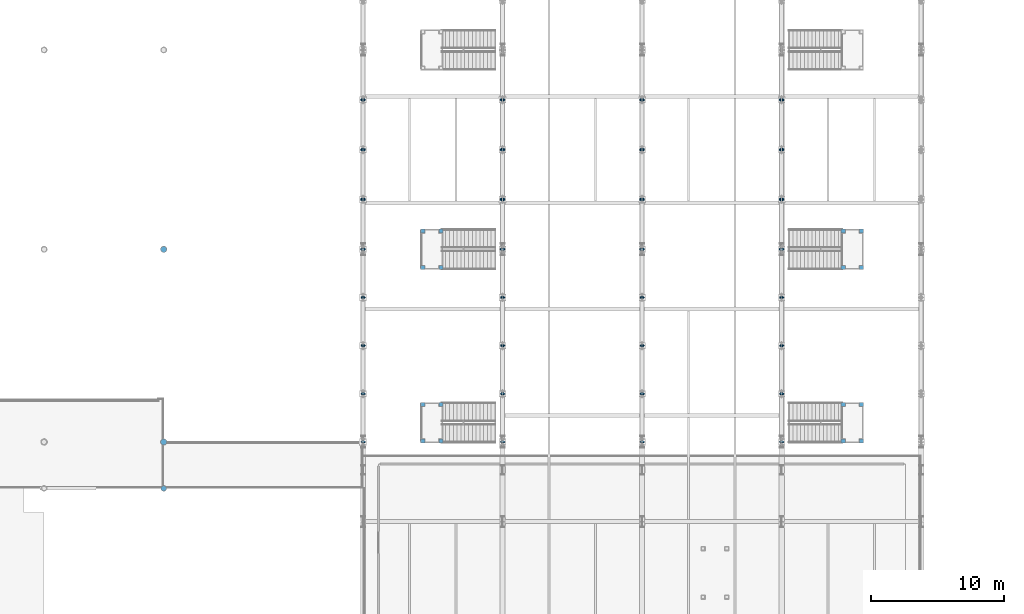
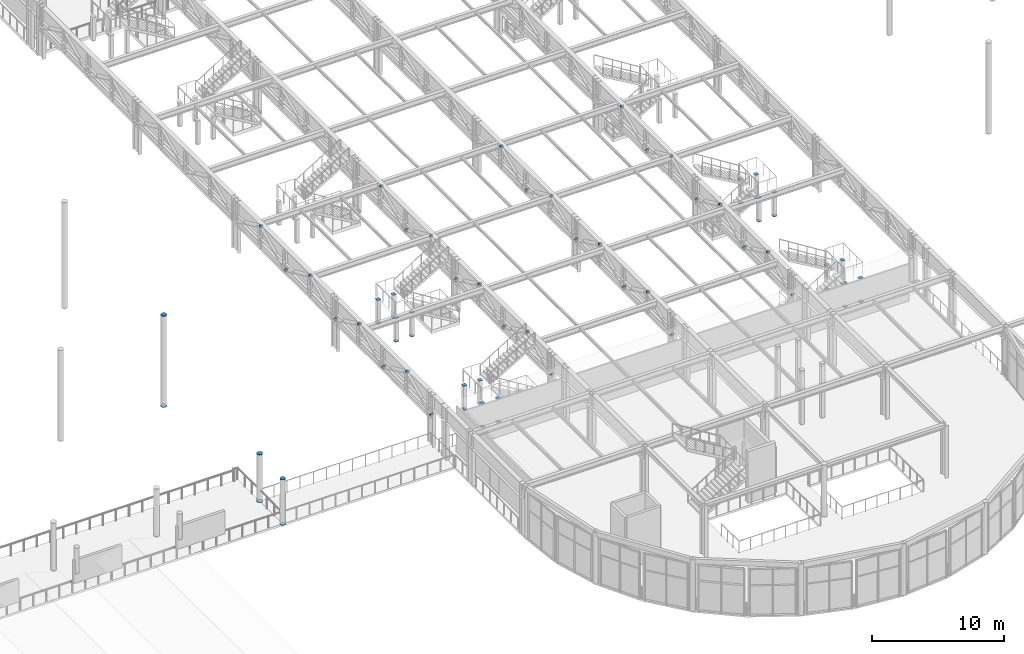
# One storey, part 95 of 143: 98 discrete accessories.
"""IFC4 building model written with IfcOpenShell, lengths in metres."""

from ifc_helpers import new_model, si_unit, direction, frame, origin, origin_2d, place, context, subcontext, project, spatial, rectangle, circle, extrude, material, element, save


model = new_model("IFC4")

# Units and contexts
model_context = context("Model", 3, precision=1e-05, world=origin(), true_north=direction((0.0, 1.0)))
body_context = subcontext(model_context, "Body", "Model", "MODEL_VIEW")
ifc_project = project(units=[si_unit("LENGTHUNIT", "METRE"), si_unit("AREAUNIT", "SQUARE_METRE"), si_unit("VOLUMEUNIT", "CUBIC_METRE"), si_unit("PLANEANGLEUNIT", "RADIAN"), si_unit("MASSUNIT", "GRAM", prefix="KILO")], contexts=[model_context])

# Site, building, storey
site_placement = place(None, origin())
site = spatial("IfcSite", under=ifc_project, at=site_placement, CompositionType="ELEMENT")
building_placement = place(site_placement, origin())
building = spatial("IfcBuilding", under=site, at=building_placement, Name="Marlcrest Central Station", CompositionType="ELEMENT")
storey_placement = place(building_placement, frame((0.0, 0.0, 4.800048828125)))
storey = spatial("IfcBuildingStorey", under=building, at=storey_placement, Name="L01", CompositionType="ELEMENT", Elevation=4.800048828125)

# Discrete accessories
ifc_material = material(Name="Steel S355", Category="steel")
for number, where, z_axis, x_axis, name in (
    (1, (72.0, 33.0, -0.014892578125), (0.0, 0.0, 1.0), (1.0, 0.0, 0.0), "endcap-col-SC-10-L01-0411-s"),
    (2, (72.0, 33.0, 4.175048828125), (0.0, 0.0, 1.0), (1.0, 0.0, 0.0), "endcap-col-SC-10-L01-0411-e"),
):
    element("IfcDiscreteAccessory", number, at=place(storey_placement, frame(where, z_axis=z_axis, x_axis=x_axis)), inside=storey, material=ifc_material, Name=name, ObjectType="END_CAP_PLATE", PredefinedType="BRACKET", context=body_context, shape_type="SweptSolid", body=[
        extrude(circle(Radius=0.211181640625, at=origin_2d()), origin(), (0.0, 0.0, 1.0), 0.0400390625),
    ])
for number, where, z_axis, x_axis, name in (
    (3, (72.0, 36.5, -0.014892578125), (0.0, 0.0, 1.0), (1.0, 0.0, 0.0), "endcap-col-SC-11-L01-0493-s"),
    (4, (72.0, 36.5, 4.375), (0.0, 0.0, 1.0), (1.0, 0.0, 0.0), "endcap-col-SC-11-L01-0493-e"),
    (5, (72.0, 51.0, -0.014892578125), (0.0, 0.0, 1.0), (1.0, 0.0, 0.0), "endcap-col-SC-11-L01-0495-s"),
    (6, (72.0, 51.0, 8.37890625), (0.0, 0.0, 1.0), (1.0, 0.0, 0.0), "endcap-col-SC-11-L01-0495-e"),
):
    element("IfcDiscreteAccessory", number, at=place(storey_placement, frame(where, z_axis=z_axis, x_axis=x_axis)), inside=storey, material=ifc_material, Name=name, ObjectType="END_CAP_PLATE", PredefinedType="BRACKET", context=body_context, shape_type="SweptSolid", body=[
        extrude(circle(Radius=0.236572265625, at=origin_2d()), origin(), (0.0, 0.0, 1.0), 0.0400390625),
    ])
for number, where, z_axis, x_axis, name in (
    (7, (87.0, 36.486572265625, 2.73828125), (0.0, 0.900551636365, 0.434749065831), (-1.0, 0.0, 0.0), "endcap-mem-TD-01-L01-02121-s"),
    (8, (87.0, 40.1025390625, 4.48388671875), (0.0, 0.900551636365, 0.434749065831), (-1.0, 0.0, 0.0), "endcap-mem-TD-01-L01-02121-e"),
    (9, (87.0, 40.111572265625, 4.50146484375), (0.0, 0.900551636365, -0.434749065831), (-1.0, 0.0, 0.0), "endcap-mem-TD-01-L01-02124-s"),
    (10, (87.0, 43.7275390625, 2.755859375), (0.0, 0.900551636365, -0.434749065831), (-1.0, 0.0, 0.0), "endcap-mem-TD-01-L01-02124-e"),
    (11, (87.0, 43.736572265625, 2.73828125), (0.0, 0.900551636365, 0.434749065831), (-1.0, 0.0, 0.0), "endcap-mem-TD-01-L01-02127-s"),
    (12, (87.0, 47.3525390625, 4.48388671875), (0.0, 0.900551636365, 0.434749065831), (-1.0, 0.0, 0.0), "endcap-mem-TD-01-L01-02127-e"),
    (13, (87.0, 47.361572265625, 4.50146484375), (0.0, 0.900551636365, -0.434749065831), (-1.0, 0.0, 0.0), "endcap-mem-TD-01-L01-02130-s"),
    (14, (87.0, 50.9775390625, 2.755859375), (0.0, 0.900551636365, -0.434749065831), (-1.0, 0.0, 0.0), "endcap-mem-TD-01-L01-02130-e"),
    (15, (87.0, 50.986328125, 2.738525390625), (0.0, 0.906183139995, 0.422885465331), (-1.0, 0.0, 0.0), "endcap-mem-TD-01-L01-02133-s"),
    (16, (87.0, 54.727294921875, 4.484375), (0.0, 0.906183139995, 0.422885465331), (-1.0, 0.0, 0.0), "endcap-mem-TD-01-L01-02133-e"),
    (17, (87.0, 54.736328125, 4.501220703125), (0.0, 0.906183139995, -0.422885465331), (-1.0, 0.0, 0.0), "endcap-mem-TD-01-L01-02136-s"),
    (18, (87.0, 58.477294921875, 2.75537109375), (0.0, 0.906183139995, -0.422885465331), (-1.0, 0.0, 0.0), "endcap-mem-TD-01-L01-02136-e"),
    (19, (87.0, 58.486328125, 2.738525390625), (0.0, 0.906183139995, 0.422885465331), (-1.0, 0.0, 0.0), "endcap-mem-TD-01-L01-02139-s"),
    (20, (87.0, 62.227294921875, 4.484375), (0.0, 0.906183139995, 0.422885465331), (-1.0, 0.0, 0.0), "endcap-mem-TD-01-L01-02139-e"),
    (21, (87.0, 62.236328125, 4.501220703125), (0.0, 0.906183139995, -0.422885465331), (-1.0, 0.0, 0.0), "endcap-mem-TD-01-L01-02142-s"),
    (22, (97.5, 36.486572265625, 2.73828125), (0.0, 0.900551636365, 0.434749065831), (-1.0, 0.0, 0.0), "endcap-mem-TD-01-L01-02170-s"),
    (23, (97.5, 40.1025390625, 4.48388671875), (0.0, 0.900551636365, 0.434749065831), (-1.0, 0.0, 0.0), "endcap-mem-TD-01-L01-02170-e"),
    (24, (97.5, 40.111572265625, 4.50146484375), (0.0, 0.900551636365, -0.434749065831), (-1.0, 0.0, 0.0), "endcap-mem-TD-01-L01-02173-s"),
    (25, (97.5, 43.7275390625, 2.755859375), (0.0, 0.900551636365, -0.434749065831), (-1.0, 0.0, 0.0), "endcap-mem-TD-01-L01-02173-e"),
    (26, (97.5, 43.736572265625, 2.73828125), (0.0, 0.900551636365, 0.434749065831), (-1.0, 0.0, 0.0), "endcap-mem-TD-01-L01-02176-s"),
    (27, (97.5, 47.3525390625, 4.48388671875), (0.0, 0.900551636365, 0.434749065831), (-1.0, 0.0, 0.0), "endcap-mem-TD-01-L01-02176-e"),
    (28, (97.5, 47.361572265625, 4.50146484375), (0.0, 0.900551636365, -0.434749065831), (-1.0, 0.0, 0.0), "endcap-mem-TD-01-L01-02179-s"),
    (29, (97.5, 50.9775390625, 2.755859375), (0.0, 0.900551636365, -0.434749065831), (-1.0, 0.0, 0.0), "endcap-mem-TD-01-L01-02179-e"),
    (30, (97.5, 50.986328125, 2.738525390625), (0.0, 0.906183139995, 0.422885465331), (-1.0, 0.0, 0.0), "endcap-mem-TD-01-L01-02182-s"),
    (31, (97.5, 54.727294921875, 4.484375), (0.0, 0.906183139995, 0.422885465331), (-1.0, 0.0, 0.0), "endcap-mem-TD-01-L01-02182-e"),
    (32, (97.5, 54.736328125, 4.501220703125), (0.0, 0.906183139995, -0.422885465331), (-1.0, 0.0, 0.0), "endcap-mem-TD-01-L01-02185-s"),
    (33, (97.5, 58.477294921875, 2.75537109375), (0.0, 0.906183139995, -0.422885465331), (-1.0, 0.0, 0.0), "endcap-mem-TD-01-L01-02185-e"),
    (34, (97.5, 58.486328125, 2.738525390625), (0.0, 0.906183139995, 0.422885465331), (-1.0, 0.0, 0.0), "endcap-mem-TD-01-L01-02188-s"),
    (35, (97.5, 62.227294921875, 4.484375), (0.0, 0.906183139995, 0.422885465331), (-1.0, 0.0, 0.0), "endcap-mem-TD-01-L01-02188-e"),
    (36, (97.5, 62.236328125, 4.501220703125), (0.0, 0.906183139995, -0.422885465331), (-1.0, 0.0, 0.0), "endcap-mem-TD-01-L01-02191-s"),
    (37, (108.0, 36.486572265625, 2.73828125), (0.0, 0.900551636365, 0.434749065831), (-1.0, 0.0, 0.0), "endcap-mem-TD-01-L01-02219-s"),
    (38, (108.0, 40.1025390625, 4.48388671875), (0.0, 0.900551636365, 0.434749065831), (-1.0, 0.0, 0.0), "endcap-mem-TD-01-L01-02219-e"),
    (39, (108.0, 40.111572265625, 4.50146484375), (0.0, 0.900551636365, -0.434749065831), (-1.0, 0.0, 0.0), "endcap-mem-TD-01-L01-02222-s"),
    (40, (108.0, 43.7275390625, 2.755859375), (0.0, 0.900551636365, -0.434749065831), (-1.0, 0.0, 0.0), "endcap-mem-TD-01-L01-02222-e"),
    (41, (108.0, 43.736572265625, 2.73828125), (0.0, 0.900551636365, 0.434749065831), (-1.0, 0.0, 0.0), "endcap-mem-TD-01-L01-02225-s"),
    (42, (108.0, 47.3525390625, 4.48388671875), (0.0, 0.900551636365, 0.434749065831), (-1.0, 0.0, 0.0), "endcap-mem-TD-01-L01-02225-e"),
    (43, (108.0, 47.361572265625, 4.50146484375), (0.0, 0.900551636365, -0.434749065831), (-1.0, 0.0, 0.0), "endcap-mem-TD-01-L01-02228-s"),
    (44, (108.0, 50.9775390625, 2.755859375), (0.0, 0.900551636365, -0.434749065831), (-1.0, 0.0, 0.0), "endcap-mem-TD-01-L01-02228-e"),
    (45, (108.0, 50.986328125, 2.738525390625), (0.0, 0.906183139995, 0.422885465331), (-1.0, 0.0, 0.0), "endcap-mem-TD-01-L01-02231-s"),
    (46, (108.0, 54.727294921875, 4.484375), (0.0, 0.906183139995, 0.422885465331), (-1.0, 0.0, 0.0), "endcap-mem-TD-01-L01-02231-e"),
    (47, (108.0, 54.736328125, 4.501220703125), (0.0, 0.906183139995, -0.422885465331), (-1.0, 0.0, 0.0), "endcap-mem-TD-01-L01-02234-s"),
    (48, (108.0, 58.477294921875, 2.75537109375), (0.0, 0.906183139995, -0.422885465331), (-1.0, 0.0, 0.0), "endcap-mem-TD-01-L01-02234-e"),
    (49, (108.0, 58.486328125, 2.738525390625), (0.0, 0.906183139995, 0.422885465331), (-1.0, 0.0, 0.0), "endcap-mem-TD-01-L01-02237-s"),
    (50, (108.0, 62.227294921875, 4.484375), (0.0, 0.906183139995, 0.422885465331), (-1.0, 0.0, 0.0), "endcap-mem-TD-01-L01-02237-e"),
    (51, (108.0, 62.236328125, 4.501220703125), (0.0, 0.906183139995, -0.422885465331), (-1.0, 0.0, 0.0), "endcap-mem-TD-01-L01-02240-s"),
    (52, (118.5, 36.486572265625, 2.73828125), (0.0, 0.900551636365, 0.434749065831), (-1.0, 0.0, 0.0), "endcap-mem-TD-01-L01-02268-s"),
    (53, (118.5, 40.1025390625, 4.48388671875), (0.0, 0.900551636365, 0.434749065831), (-1.0, 0.0, 0.0), "endcap-mem-TD-01-L01-02268-e"),
    (54, (118.5, 40.111572265625, 4.50146484375), (0.0, 0.900551636365, -0.434749065831), (-1.0, 0.0, 0.0), "endcap-mem-TD-01-L01-02271-s"),
    (55, (118.5, 43.7275390625, 2.755859375), (0.0, 0.900551636365, -0.434749065831), (-1.0, 0.0, 0.0), "endcap-mem-TD-01-L01-02271-e"),
    (56, (118.5, 43.736572265625, 2.73828125), (0.0, 0.900551636365, 0.434749065831), (-1.0, 0.0, 0.0), "endcap-mem-TD-01-L01-02274-s"),
    (57, (118.5, 47.3525390625, 4.48388671875), (0.0, 0.900551636365, 0.434749065831), (-1.0, 0.0, 0.0), "endcap-mem-TD-01-L01-02274-e"),
    (58, (118.5, 47.361572265625, 4.50146484375), (0.0, 0.900551636365, -0.434749065831), (-1.0, 0.0, 0.0), "endcap-mem-TD-01-L01-02277-s"),
    (59, (118.5, 50.9775390625, 2.755859375), (0.0, 0.900551636365, -0.434749065831), (-1.0, 0.0, 0.0), "endcap-mem-TD-01-L01-02277-e"),
    (60, (118.5, 50.986328125, 2.738525390625), (0.0, 0.906183139995, 0.422885465331), (-1.0, 0.0, 0.0), "endcap-mem-TD-01-L01-02280-s"),
    (61, (118.5, 54.727294921875, 4.484375), (0.0, 0.906183139995, 0.422885465331), (-1.0, 0.0, 0.0), "endcap-mem-TD-01-L01-02280-e"),
    (62, (118.5, 54.736328125, 4.501220703125), (0.0, 0.906183139995, -0.422885465331), (-1.0, 0.0, 0.0), "endcap-mem-TD-01-L01-02283-s"),
    (63, (118.5, 58.477294921875, 2.75537109375), (0.0, 0.906183139995, -0.422885465331), (-1.0, 0.0, 0.0), "endcap-mem-TD-01-L01-02283-e"),
    (64, (118.5, 58.486328125, 2.738525390625), (0.0, 0.906183139995, 0.422885465331), (-1.0, 0.0, 0.0), "endcap-mem-TD-01-L01-02286-s"),
    (65, (118.5, 62.227294921875, 4.484375), (0.0, 0.906183139995, 0.422885465331), (-1.0, 0.0, 0.0), "endcap-mem-TD-01-L01-02286-e"),
    (66, (118.5, 62.236328125, 4.501220703125), (0.0, 0.906183139995, -0.422885465331), (-1.0, 0.0, 0.0), "endcap-mem-TD-01-L01-02289-s"),
):
    element("IfcDiscreteAccessory", number, at=place(storey_placement, frame(where, z_axis=z_axis, x_axis=x_axis)), inside=storey, material=ifc_material, Name=name, ObjectType="END_CAP_PLATE", PredefinedType="BRACKET", context=body_context, shape_type="SweptSolid", body=[
        extrude(circle(Radius=0.169921875, at=origin_2d()), origin(), (0.0, 0.0, 1.0), 0.0400390625),
    ])
for number, where, z_axis, x_axis, name in (
    (67, (91.5, 36.580078125, -0.014892578125), (0.0, 0.0, 1.0), (1.0, 0.0, 0.0), "endcap-stcol-hi1-0003-915-365-s"),
    (68, (91.5, 36.580078125, 2.155029296875), (0.0, 0.0, 1.0), (1.0, 0.0, 0.0), "endcap-stcol-hi1-0003-915-365-e"),
    (69, (91.5, 39.320068359375, -0.014892578125), (0.0, 0.0, 1.0), (1.0, 0.0, 0.0), "endcap-stcol-hi1-0003-915-393-s"),
    (70, (91.5, 39.320068359375, 2.155029296875), (0.0, 0.0, 1.0), (1.0, 0.0, 0.0), "endcap-stcol-hi1-0003-915-393-e"),
    (71, (92.860107421875, 36.580078125, -0.014892578125), (0.0, 0.0, 1.0), (1.0, 0.0, 0.0), "endcap-stcol-hi1-0003-928-365-s"),
    (72, (92.860107421875, 36.580078125, 2.155029296875), (0.0, 0.0, 1.0), (1.0, 0.0, 0.0), "endcap-stcol-hi1-0003-928-365-e"),
    (73, (92.860107421875, 39.320068359375, -0.014892578125), (0.0, 0.0, 1.0), (1.0, 0.0, 0.0), "endcap-stcol-hi1-0003-928-393-s"),
    (74, (92.860107421875, 39.320068359375, 2.155029296875), (0.0, 0.0, 1.0), (1.0, 0.0, 0.0), "endcap-stcol-hi1-0003-928-393-e"),
    (75, (123.139892578125, 36.580078125, -0.014892578125), (0.0, 0.0, 1.0), (1.0, 0.0, 0.0), "endcap-stcol-hi1-0006-1231-365-s"),
    (76, (123.139892578125, 36.580078125, 2.155029296875), (0.0, 0.0, 1.0), (1.0, 0.0, 0.0), "endcap-stcol-hi1-0006-1231-365-e"),
    (77, (123.139892578125, 39.320068359375, -0.014892578125), (0.0, 0.0, 1.0), (1.0, 0.0, 0.0), "endcap-stcol-hi1-0006-1231-393-s"),
    (78, (123.139892578125, 39.320068359375, 2.155029296875), (0.0, 0.0, 1.0), (1.0, 0.0, 0.0), "endcap-stcol-hi1-0006-1231-393-e"),
    (79, (124.5, 36.580078125, -0.014892578125), (0.0, 0.0, 1.0), (1.0, 0.0, 0.0), "endcap-stcol-hi1-0006-1245-365-s"),
    (80, (124.5, 36.580078125, 2.155029296875), (0.0, 0.0, 1.0), (1.0, 0.0, 0.0), "endcap-stcol-hi1-0006-1245-365-e"),
    (81, (124.5, 39.320068359375, -0.014892578125), (0.0, 0.0, 1.0), (1.0, 0.0, 0.0), "endcap-stcol-hi1-0006-1245-393-s"),
    (82, (124.5, 39.320068359375, 2.155029296875), (0.0, 0.0, 1.0), (1.0, 0.0, 0.0), "endcap-stcol-hi1-0006-1245-393-e"),
    (83, (91.5, 49.6298828125, -0.014892578125), (0.0, 0.0, 1.0), (1.0, 0.0, 0.0), "endcap-stcol-hi1-0009-915-496-s"),
    (84, (91.5, 49.6298828125, 2.155029296875), (0.0, 0.0, 1.0), (1.0, 0.0, 0.0), "endcap-stcol-hi1-0009-915-496-e"),
    (85, (91.5, 52.3701171875, -0.014892578125), (0.0, 0.0, 1.0), (1.0, 0.0, 0.0), "endcap-stcol-hi1-0009-915-523-s"),
    (86, (91.5, 52.3701171875, 2.155029296875), (0.0, 0.0, 1.0), (1.0, 0.0, 0.0), "endcap-stcol-hi1-0009-915-523-e"),
    (87, (92.860107421875, 49.6298828125, -0.014892578125), (0.0, 0.0, 1.0), (1.0, 0.0, 0.0), "endcap-stcol-hi1-0009-928-496-s"),
    (88, (92.860107421875, 49.6298828125, 2.155029296875), (0.0, 0.0, 1.0), (1.0, 0.0, 0.0), "endcap-stcol-hi1-0009-928-496-e"),
    (89, (92.860107421875, 52.3701171875, -0.014892578125), (0.0, 0.0, 1.0), (1.0, 0.0, 0.0), "endcap-stcol-hi1-0009-928-523-s"),
    (90, (92.860107421875, 52.3701171875, 2.155029296875), (0.0, 0.0, 1.0), (1.0, 0.0, 0.0), "endcap-stcol-hi1-0009-928-523-e"),
    (91, (123.139892578125, 49.6298828125, -0.014892578125), (0.0, 0.0, 1.0), (1.0, 0.0, 0.0), "endcap-stcol-hi1-0012-1231-496-s"),
    (92, (123.139892578125, 49.6298828125, 2.155029296875), (0.0, 0.0, 1.0), (1.0, 0.0, 0.0), "endcap-stcol-hi1-0012-1231-496-e"),
    (93, (123.139892578125, 52.3701171875, -0.014892578125), (0.0, 0.0, 1.0), (1.0, 0.0, 0.0), "endcap-stcol-hi1-0012-1231-523-s"),
    (94, (123.139892578125, 52.3701171875, 2.155029296875), (0.0, 0.0, 1.0), (1.0, 0.0, 0.0), "endcap-stcol-hi1-0012-1231-523-e"),
    (95, (124.5, 49.6298828125, -0.014892578125), (0.0, 0.0, 1.0), (1.0, 0.0, 0.0), "endcap-stcol-hi1-0012-1245-496-s"),
    (96, (124.5, 49.6298828125, 2.155029296875), (0.0, 0.0, 1.0), (1.0, 0.0, 0.0), "endcap-stcol-hi1-0012-1245-496-e"),
    (97, (124.5, 52.3701171875, -0.014892578125), (0.0, 0.0, 1.0), (1.0, 0.0, 0.0), "endcap-stcol-hi1-0012-1245-523-s"),
    (98, (124.5, 52.3701171875, 2.155029296875), (0.0, 0.0, 1.0), (1.0, 0.0, 0.0), "endcap-stcol-hi1-0012-1245-523-e"),
):
    element("IfcDiscreteAccessory", number, at=place(storey_placement, frame(where, z_axis=z_axis, x_axis=x_axis)), inside=storey, material=ifc_material, Name=name, ObjectType="END_CAP_PLATE", PredefinedType="BRACKET", context=body_context, shape_type="SweptSolid", body=[
        extrude(rectangle(XDim=0.31591796875, YDim=0.31591796875, at=origin_2d()), origin(), (0.0, 0.0, 1.0), 0.0400390625),
    ])

save(model, "model.ifc")
